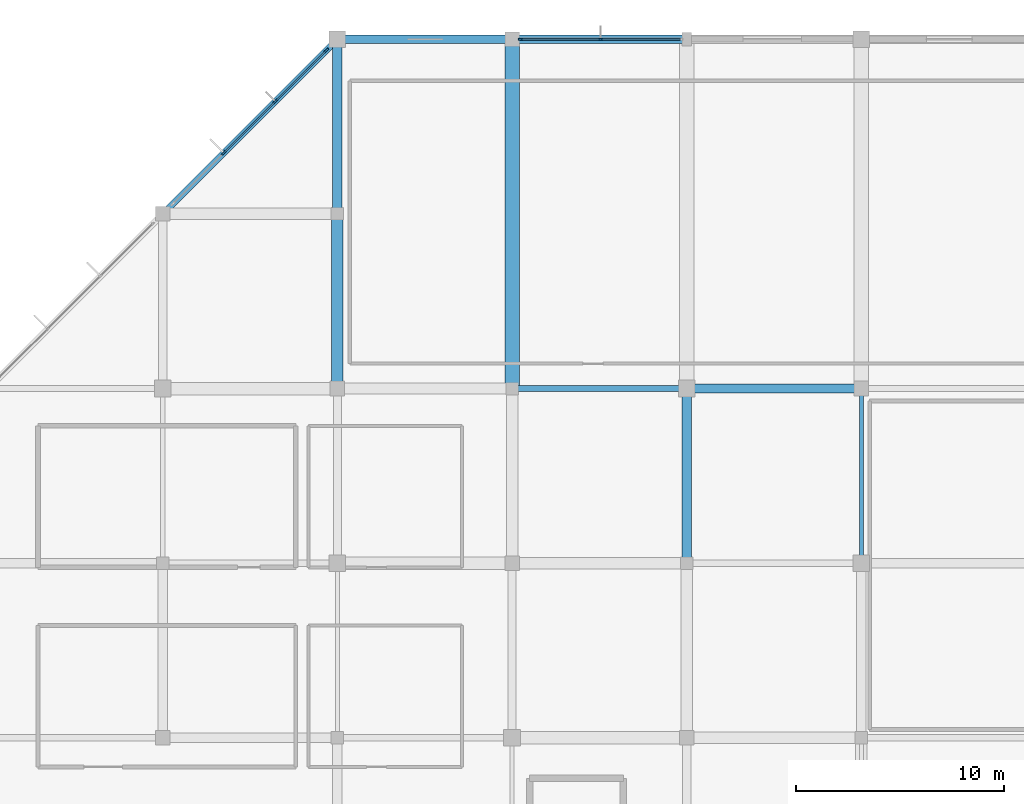
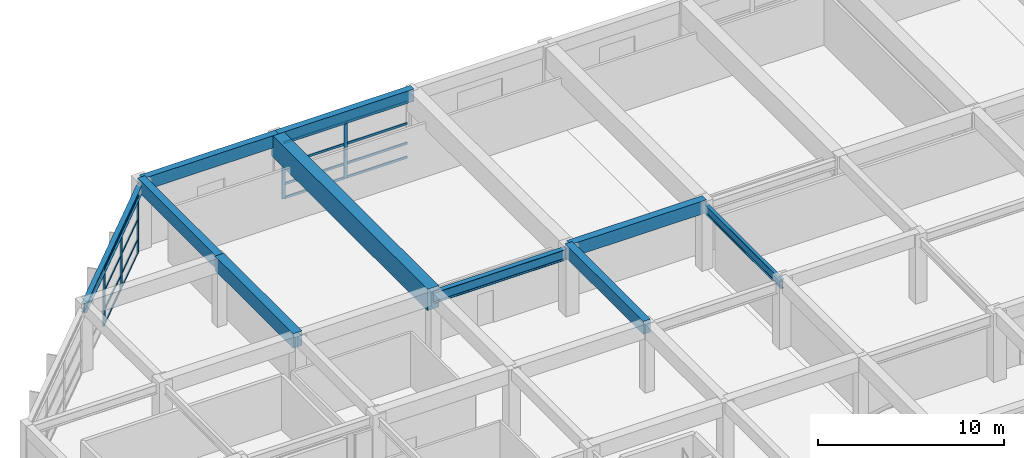
# One storey, part 25 of 65: 21 members, 10 beams, 2 elements without a shape of their own.
"""IFC4 building model written with IfcOpenShell, lengths in metres."""

import ifcopenshell
import ifcopenshell.guid

model = None  # the IFC model being written
_history = None  # IfcOwnerHistory: only IFC2X3 demands one
_inside = {}  # id of a spatial element -> (the spatial element, [elements in it])
_under = {}  # id of a project, library or spatial element -> (it, [spatial elements below it])
_declared = {}  # id of a project -> (the project, [libraries it declares])
_typed = {}  # id of a type object -> (the type object, [elements of that type])
_made_of = {}  # id of a material, layer set ... -> (it, [elements and type objects made of it])


def new_model(schema):
    """Start an empty IFC model of exactly this schema.

    Asked for "IFC4X3", IfcOpenShell would pick the latest addendum, in which some entities
    have other attributes; the version numbers below select the first issue.
    IFC2X3 requires an IfcOwnerHistory on every rooted entity: one is made here for all.
    """
    global model, _history
    if schema == "IFC4X3":
        model = ifcopenshell.file(schema_version=(4, 3, 0, 0))
    else:
        model = ifcopenshell.file(schema=schema)
    _inside.clear()
    _under.clear()
    _declared.clear()
    _typed.clear()
    _made_of.clear()
    _history = None
    if model.schema == "IFC2X3":
        org = make("IfcOrganization", Name="unknown")
        user = make(
            "IfcPersonAndOrganization",
            ThePerson=make("IfcPerson", FamilyName="unknown"),
            TheOrganization=org,
        )
        app = make(
            "IfcApplication",
            ApplicationDeveloper=org,
            Version="unknown",
            ApplicationFullName="unknown",
            ApplicationIdentifier="unknown",
        )
        _history = make(
            "IfcOwnerHistory",
            OwningUser=user,
            OwningApplication=app,
            ChangeAction="ADDED",
            CreationDate=0,
        )
    return model


def make(cls, **values):
    """One entity of the class cls with the attributes given. An attribute that is None is left unset."""
    return model.create_entity(
        cls, **{name: value for name, value in values.items() if value is not None}
    )


def rooted(cls, **values):
    """An entity with a GlobalId (a new one), such as an element, a storey or a relation."""
    return make(cls, GlobalId=ifcopenshell.guid.new(), OwnerHistory=_history, **values)


def si_unit(unit_type, name, prefix=None):
    """IfcSIUnit, for example si_unit("LENGTHUNIT", "METRE", prefix="MILLI")."""
    return make("IfcSIUnit", UnitType=unit_type, Prefix=prefix, Name=name)


def assignment(units):
    """IfcUnitAssignment: the units of a project."""
    return None if units is None else make("IfcUnitAssignment", Units=units)


def point(xyz):
    """IfcCartesianPoint."""
    return None if xyz is None else make("IfcCartesianPoint", Coordinates=xyz)


def direction(xyz):
    """IfcDirection."""
    return None if xyz is None else make("IfcDirection", DirectionRatios=xyz)


def frame(location, z_axis=None, x_axis=None):
    """IfcAxis2Placement3D, a coordinate frame: its origin and axes. An axis left out is left unset."""
    return make(
        "IfcAxis2Placement3D",
        Location=point(location),
        Axis=direction(z_axis),
        RefDirection=direction(x_axis),
    )


def frame_2d(location, x_axis=None):
    """IfcAxis2Placement2D, a coordinate frame in the plane: its origin and x axis."""
    return make(
        "IfcAxis2Placement2D", Location=point(location), RefDirection=direction(x_axis)
    )


def origin():
    """The frame at (0, 0, 0) with its axes left unset."""
    return frame((0.0, 0.0, 0.0))


def origin_2d():
    """The frame at (0, 0) in the plane with its x axis left unset."""
    return frame_2d((0.0, 0.0))


def place(relative_to, where):
    """IfcLocalPlacement: puts the frame where relative to a parent placement (None: the world)."""
    return make(
        "IfcLocalPlacement", PlacementRelTo=relative_to, RelativePlacement=where
    )


def context(
    kind, dimensions, precision=None, world=None, true_north=None, identifier=None
):
    """IfcGeometricRepresentationContext, for example the 3D "Model" context."""
    return make(
        "IfcGeometricRepresentationContext",
        ContextIdentifier=identifier,
        ContextType=kind,
        CoordinateSpaceDimension=dimensions,
        Precision=precision,
        WorldCoordinateSystem=world,
        TrueNorth=true_north,
    )


def subcontext(parent, identifier, kind, view, scale=None):
    """IfcGeometricRepresentationSubContext, for example "Body" below "Model"."""
    return make(
        "IfcGeometricRepresentationSubContext",
        ContextIdentifier=identifier,
        ContextType=kind,
        ParentContext=parent,
        TargetScale=scale,
        TargetView=view,
    )


def project(units=None, contexts=None):
    """IfcProject with its units and contexts."""
    return rooted(
        "IfcProject",
        Name="project",
        RepresentationContexts=contexts,
        UnitsInContext=assignment(units),
    )


def spatial(cls, under=None, at=None, **own):
    """A site, building, storey or space (cls), placed at a placement, below another one or the project."""
    s = rooted(cls, ObjectPlacement=at, **own)
    if under is not None:
        _under.setdefault(under.id(), (under, []))[1].append(s)
    return s


def profile(cls, at=None, kind="AREA", **sizes):
    """A parametric profile (cls). Its sizes go by their IFC names, for example OverallWidth=200.0."""
    return make(cls, ProfileType=kind, Position=at, **sizes)


def rectangle(**sizes):
    """IfcRectangleProfileDef."""
    return profile("IfcRectangleProfileDef", **sizes)


def i_section(**sizes):
    """IfcIShapeProfileDef."""
    return profile("IfcIShapeProfileDef", **sizes)


def extrude(swept, where, along, depth):
    """IfcExtrudedAreaSolid: the profile swept, set in the frame where, extruded along a direction by depth."""
    return make(
        "IfcExtrudedAreaSolid",
        SweptArea=swept,
        Position=where,
        ExtrudedDirection=direction(along),
        Depth=depth,
    )


def shape(context_of_items, identifier, shape_type, items):
    """IfcShapeRepresentation: the items that make up one representation, for example the "Body"."""
    return make(
        "IfcShapeRepresentation",
        ContextOfItems=context_of_items,
        RepresentationIdentifier=identifier,
        RepresentationType=shape_type,
        Items=items,
    )


def material(Name=None, Category=None):
    """IfcMaterial."""
    return make("IfcMaterial", Name=Name, Category=Category)


def material_profile(
    of_material, cross_section, Name=None, Category=None, Priority=None
):
    """IfcMaterialProfile: a cross section and its material."""
    return make(
        "IfcMaterialProfile",
        Name=Name,
        Material=of_material,
        Profile=cross_section,
        Priority=Priority,
        Category=Category,
    )


def profile_set(profiles, Name=None, composite=None):
    """IfcMaterialProfileSet."""
    return make(
        "IfcMaterialProfileSet",
        Name=Name,
        MaterialProfiles=profiles,
        CompositeProfile=composite,
    )


def made_of(thing, what):
    """Note that an element or type object is made of a material, layer set ...; save() writes the relation."""
    if what is not None:
        _made_of.setdefault(what.id(), (what, []))[1].append(thing)
    return thing


def type_object(cls, material=None, **own):
    """A type object (cls), such as IfcWallType, which elements share."""
    return made_of(rooted(cls, **own), material)


def element(
    cls,
    number,
    at=None,
    inside=None,
    cuts=None,
    type_object=None,
    material=None,
    context=None,
    identifier="Body",
    shape_type=None,
    held_by="IfcProductDefinitionShape",
    body=None,
    shapes=None,
    **own,
):
    """One element of the class cls, such as IfcWall. Its Tag is "e" and its number.

    at: its placement. inside: the storey or other place that contains it. cuts: it is an
    opening in that element (IfcRelVoidsElement). A single representation is given by context,
    identifier, shape_type and body (its items); several are given by shapes. held_by: the class
    of the entity that holds the representations. save() writes the other relations.
    """
    e = rooted(cls, Tag="e%d" % number, ObjectPlacement=at, **own)
    if body is not None:
        shapes = [shape(context, identifier, shape_type, body)]
    if shapes is not None:
        e.Representation = make(held_by, Representations=shapes)
    if inside is not None:
        _inside.setdefault(inside.id(), (inside, []))[1].append(e)
    if cuts is not None:
        rooted(
            "IfcRelVoidsElement", RelatingBuildingElement=cuts, RelatedOpeningElement=e
        )
    if type_object is not None:
        _typed.setdefault(type_object.id(), (type_object, []))[1].append(e)
    return made_of(e, material)


def aggregate(whole, parts):
    """IfcRelAggregates: a whole, such as a stair, and the parts it consists of."""
    return rooted("IfcRelAggregates", RelatingObject=whole, RelatedObjects=parts)


def save(model, path):
    """Write the relations noted so far, then the file.

    IfcRelAggregates (storeys below a building ...), IfcRelContainedInSpatialStructure (elements
    in a storey), IfcRelDefinesByType, IfcRelAssociatesMaterial and IfcRelDeclares: one each for
    every whole, place, type object, material and project.
    """
    for whole, parts in _under.values():
        aggregate(whole, parts)
    for where, things in _inside.values():
        rooted(
            "IfcRelContainedInSpatialStructure",
            RelatedElements=things,
            RelatingStructure=where,
        )
    for kind, things in _typed.values():
        rooted("IfcRelDefinesByType", RelatedObjects=things, RelatingType=kind)
    for what, things in _made_of.values():
        rooted("IfcRelAssociatesMaterial", RelatedObjects=things, RelatingMaterial=what)
    for by, libraries in _declared.values():
        rooted("IfcRelDeclares", RelatingContext=by, RelatedDefinitions=libraries)
    model.write(path)


model = new_model("IFC4")

# Units and contexts
model_context = context("Model", 3, precision=1e-05, world=origin(), true_north=direction((0.0, 1.0)))
body_context = subcontext(model_context, "Body", "Model", "MODEL_VIEW")
ifc_project = project(units=[si_unit("LENGTHUNIT", "METRE"), si_unit("AREAUNIT", "SQUARE_METRE"), si_unit("VOLUMEUNIT", "CUBIC_METRE"), si_unit("PLANEANGLEUNIT", "RADIAN"), si_unit("MASSUNIT", "GRAM", prefix="KILO")], contexts=[model_context])

# Site, building, storey
site_placement = place(None, origin())
site = spatial("IfcSite", under=ifc_project, at=site_placement, CompositionType="ELEMENT")
building_placement = place(site_placement, origin())
building = spatial("IfcBuilding", under=site, at=building_placement, Name="Xuanlan Plaza Opera House", CompositionType="ELEMENT")
storey_placement = place(building_placement, frame((0.0, 0.0, 5.39990234375)))
storey = spatial("IfcBuildingStorey", under=building, at=storey_placement, Name="L01", CompositionType="ELEMENT", Elevation=5.39990234375)

# Curtain wall, members
ifc_material_1 = material(Name="Anodised Aluminium 6063-T6 and Low-E Glass", Category="aluminium")
curtain_wall_type_1 = type_object("IfcCurtainWallType", Name="ENV-CW-CW-04", PredefinedType="USERDEFINED", material=ifc_material_1)
curtain_wall_1_placement = place(storey_placement, origin())
curtain_wall_1 = element("IfcCurtainWall", 1, at=curtain_wall_1_placement, inside=storey, type_object=curtain_wall_type_1, Name="Unitised Curtain Wall L01-045", ObjectType="UNITISED CURTAIN WALL", PredefinedType="USERDEFINED")
ifc_material_2 = material(Name="Anodised Aluminium 6063-T6", Category="aluminium")
ifc_material_profile_1 = material_profile(ifc_material_2, rectangle(XDim=0.074951171875, YDim=0.199951171875, at=origin_2d()), Name="ALU-M 75x200")
ifc_profile_set_1 = profile_set([ifc_material_profile_1], Name="Anodised Aluminium 6063-T6")
member_type_1 = type_object("IfcMemberType", Name="ENV-CWM-03", PredefinedType="MULLION", material=ifc_profile_set_1)
member_1_placement = place(storey_placement, frame((29.46240234375, 117.60009765625, 0.0), z_axis=(0.0, 0.0, 1.0), x_axis=(0.0, -1.0, 0.0)))
member_1 = element("IfcMember", 2, at=member_1_placement, type_object=member_type_1, Name="CW-04 mullion 2", PredefinedType="MULLION", context=body_context, shape_type="SweptSolid", body=[
    extrude(rectangle(XDim=0.074951171875, YDim=0.199951171875, at=origin_2d()), origin(), (0.0, 0.0, 1.0), 3.68017578125),
])
member_2_placement = place(storey_placement, frame((25.607421875, 117.60009765625, 0.0), z_axis=(0.0, 0.0, 1.0), x_axis=(0.0, -1.0, 0.0)))
member_2 = element("IfcMember", 3, at=member_2_placement, type_object=member_type_1, Name="CW-04 mullion 3", PredefinedType="MULLION", context=body_context, shape_type="SweptSolid", body=[
    extrude(rectangle(XDim=0.074951171875, YDim=0.199951171875, at=origin_2d()), origin(), (0.0, 0.0, 1.0), 3.68017578125),
])

curtain_wall_type_2 = type_object("IfcCurtainWallType", Name="ENV-CW-CW-02", PredefinedType="USERDEFINED", material=ifc_material_1)
curtain_wall_2_placement = place(storey_placement, origin())
curtain_wall_2 = element("IfcCurtainWall", 4, at=curtain_wall_2_placement, inside=storey, type_object=curtain_wall_type_2, Name="Unitised Curtain Wall L01-047", ObjectType="UNITISED CURTAIN WALL", PredefinedType="USERDEFINED")
ifc_material_profile_2 = material_profile(ifc_material_2, rectangle(XDim=0.090087890625, YDim=0.25, at=origin_2d()), Name="ALU-M 90x250")
ifc_profile_set_2 = profile_set([ifc_material_profile_2], Name="Anodised Aluminium 6063-T6")
member_type_2 = type_object("IfcMemberType", Name="ENV-CWM-05", PredefinedType="MULLION", material=ifc_profile_set_2)
member_3_placement = place(storey_placement, frame((16.269287109375, 117.069091796875, 0.0), z_axis=(0.0, 0.0, 1.0), x_axis=(0.707106781187, -0.707106781187, 0.0)))
member_3 = element("IfcMember", 5, at=member_3_placement, type_object=member_type_2, Name="CW-02 mullion 1", PredefinedType="MULLION", context=body_context, shape_type="SweptSolid", body=[
    extrude(rectangle(XDim=0.090087890625, YDim=0.25, at=origin_2d()), origin(), (0.0, 0.0, 1.0), 3.68017578125),
])
member_4_placement = place(storey_placement, frame((13.81689453125, 114.616943359375, 0.0), z_axis=(0.0, 0.0, 1.0), x_axis=(0.707106781187, -0.707106781187, 0.0)))
member_4 = element("IfcMember", 6, at=member_4_placement, type_object=member_type_2, Name="CW-02 mullion 2", PredefinedType="MULLION", context=body_context, shape_type="SweptSolid", body=[
    extrude(rectangle(XDim=0.090087890625, YDim=0.25, at=origin_2d()), origin(), (0.0, 0.0, 1.0), 3.68017578125),
])
member_5_placement = place(storey_placement, frame((11.3330078125, 112.133056640625, 0.0), z_axis=(0.0, 0.0, 1.0), x_axis=(0.707106781187, -0.707106781187, 0.0)))
member_5 = element("IfcMember", 7, at=member_5_placement, type_object=member_type_2, Name="CW-02 mullion 3", PredefinedType="MULLION", context=body_context, shape_type="SweptSolid", body=[
    extrude(rectangle(XDim=0.090087890625, YDim=0.25, at=origin_2d()), origin(), (0.0, 0.0, 1.0), 3.68017578125),
])
ifc_material_profile_3 = material_profile(ifc_material_2, rectangle(XDim=0.070068359375, YDim=0.135009765625, at=origin_2d()), Name="ALU-T 70x135")
ifc_profile_set_3 = profile_set([ifc_material_profile_3], Name="Anodised Aluminium 6063-T6")
member_type_3 = type_object("IfcMemberType", Name="ENV-CWT-02", PredefinedType="USERDEFINED", material=ifc_profile_set_3)
member_6_placement = place(storey_placement, frame((16.2373046875, 117.037353515625, 0.03515625), z_axis=(-0.707106781187, -0.707106781187, 0.0), x_axis=(0.707106781187, -0.707106781187, 0.0)))
member_6 = element("IfcMember", 8, at=member_6_placement, type_object=member_type_3, Name="CW-02 transom 1.1", ObjectType="TRANSOM", PredefinedType="USERDEFINED", context=body_context, shape_type="SweptSolid", body=[
    extrude(rectangle(XDim=0.070068359375, YDim=0.135009765625, at=origin_2d()), origin(), (0.0, 0.0, 1.0), 3.377685546875),
])
member_7_placement = place(storey_placement, frame((16.2373046875, 117.037353515625, 0.9501953125), z_axis=(-0.707106781187, -0.707106781187, 0.0), x_axis=(0.707106781187, -0.707106781187, 0.0)))
member_7 = element("IfcMember", 9, at=member_7_placement, type_object=member_type_3, Name="CW-02 transom 1.2", ObjectType="TRANSOM", PredefinedType="USERDEFINED", context=body_context, shape_type="SweptSolid", body=[
    extrude(rectangle(XDim=0.070068359375, YDim=0.135009765625, at=origin_2d()), origin(), (0.0, 0.0, 1.0), 3.377685546875),
])
member_8_placement = place(storey_placement, frame((16.2373046875, 117.037353515625, 2.25), z_axis=(-0.707106781187, -0.707106781187, 0.0), x_axis=(0.707106781187, -0.707106781187, 0.0)))
member_8 = element("IfcMember", 10, at=member_8_placement, type_object=member_type_3, Name="CW-02 transom 1.3", ObjectType="TRANSOM", PredefinedType="USERDEFINED", context=body_context, shape_type="SweptSolid", body=[
    extrude(rectangle(XDim=0.070068359375, YDim=0.135009765625, at=origin_2d()), origin(), (0.0, 0.0, 1.0), 3.377685546875),
])
member_9_placement = place(storey_placement, frame((16.2373046875, 117.037353515625, 3.64501953125), z_axis=(-0.707106781187, -0.707106781187, 0.0), x_axis=(0.707106781187, -0.707106781187, 0.0)))
member_9 = element("IfcMember", 11, at=member_9_placement, type_object=member_type_3, Name="CW-02 transom 1.4", ObjectType="TRANSOM", PredefinedType="USERDEFINED", context=body_context, shape_type="SweptSolid", body=[
    extrude(rectangle(XDim=0.070068359375, YDim=0.135009765625, at=origin_2d()), origin(), (0.0, 0.0, 1.0), 3.377685546875),
])
member_10_placement = place(storey_placement, frame((13.78515625, 114.585205078125, 0.03515625), z_axis=(-0.707106781187, -0.707106781187, 0.0), x_axis=(0.707106781187, -0.707106781187, 0.0)))
member_10 = element("IfcMember", 12, at=member_10_placement, type_object=member_type_3, Name="CW-02 transom 2.1", ObjectType="TRANSOM", PredefinedType="USERDEFINED", context=body_context, shape_type="SweptSolid", body=[
    extrude(rectangle(XDim=0.070068359375, YDim=0.135009765625, at=origin_2d()), origin(), (0.0, 0.0, 1.0), 3.423095703125),
])
member_11_placement = place(storey_placement, frame((13.78515625, 114.585205078125, 0.9501953125), z_axis=(-0.707106781187, -0.707106781187, 0.0), x_axis=(0.707106781187, -0.707106781187, 0.0)))
member_11 = element("IfcMember", 13, at=member_11_placement, type_object=member_type_3, Name="CW-02 transom 2.2", ObjectType="TRANSOM", PredefinedType="USERDEFINED", context=body_context, shape_type="SweptSolid", body=[
    extrude(rectangle(XDim=0.070068359375, YDim=0.135009765625, at=origin_2d()), origin(), (0.0, 0.0, 1.0), 3.423095703125),
])
member_12_placement = place(storey_placement, frame((13.78515625, 114.585205078125, 2.25), z_axis=(-0.707106781187, -0.707106781187, 0.0), x_axis=(0.707106781187, -0.707106781187, 0.0)))
member_12 = element("IfcMember", 14, at=member_12_placement, type_object=member_type_3, Name="CW-02 transom 2.3", ObjectType="TRANSOM", PredefinedType="USERDEFINED", context=body_context, shape_type="SweptSolid", body=[
    extrude(rectangle(XDim=0.070068359375, YDim=0.135009765625, at=origin_2d()), origin(), (0.0, 0.0, 1.0), 3.423095703125),
])
member_13_placement = place(storey_placement, frame((13.78515625, 114.585205078125, 3.64501953125), z_axis=(-0.707106781187, -0.707106781187, 0.0), x_axis=(0.707106781187, -0.707106781187, 0.0)))
member_13 = element("IfcMember", 15, at=member_13_placement, type_object=member_type_3, Name="CW-02 transom 2.4", ObjectType="TRANSOM", PredefinedType="USERDEFINED", context=body_context, shape_type="SweptSolid", body=[
    extrude(rectangle(XDim=0.070068359375, YDim=0.135009765625, at=origin_2d()), origin(), (0.0, 0.0, 1.0), 3.423095703125),
])
aggregate(curtain_wall_2, [member_3, member_4, member_5, member_6, member_7, member_8, member_9, member_10, member_11, member_12, member_13])

# Member
ifc_material_profile_4 = material_profile(ifc_material_2, rectangle(XDim=0.074951171875, YDim=0.14990234375, at=origin_2d()), Name="ALU-T 75x150")
ifc_profile_set_4 = profile_set([ifc_material_profile_4], Name="Anodised Aluminium 6063-T6")
member_type_4 = type_object("IfcMemberType", Name="ENV-CWT-03", PredefinedType="USERDEFINED", material=ifc_profile_set_4)
member_14_placement = place(storey_placement, frame((33.280029296875, 117.60009765625, 0.03759765625), z_axis=(-1.0, 0.0, 0.0), x_axis=(0.0, -1.0, 0.0)))
member_14 = element("IfcMember", 16, at=member_14_placement, type_object=member_type_4, Name="CW-04 transom 1.1", ObjectType="TRANSOM", PredefinedType="USERDEFINED", context=body_context, shape_type="SweptSolid", body=[
    extrude(rectangle(XDim=0.074951171875, YDim=0.14990234375, at=origin_2d()), origin(), (0.0, 0.0, 1.0), 3.780029296875),
])

member_15_placement = place(storey_placement, frame((33.280029296875, 117.60009765625, 0.9501953125), z_axis=(-1.0, 0.0, 0.0), x_axis=(0.0, -1.0, 0.0)))
member_15 = element("IfcMember", 17, at=member_15_placement, type_object=member_type_4, Name="CW-04 transom 1.2", ObjectType="TRANSOM", PredefinedType="USERDEFINED", context=body_context, shape_type="SweptSolid", body=[
    extrude(rectangle(XDim=0.074951171875, YDim=0.14990234375, at=origin_2d()), origin(), (0.0, 0.0, 1.0), 3.780029296875),
])

member_16_placement = place(storey_placement, frame((33.280029296875, 117.60009765625, 2.25), z_axis=(-1.0, 0.0, 0.0), x_axis=(0.0, -1.0, 0.0)))
member_16 = element("IfcMember", 18, at=member_16_placement, type_object=member_type_4, Name="CW-04 transom 1.3", ObjectType="TRANSOM", PredefinedType="USERDEFINED", context=body_context, shape_type="SweptSolid", body=[
    extrude(rectangle(XDim=0.074951171875, YDim=0.14990234375, at=origin_2d()), origin(), (0.0, 0.0, 1.0), 3.780029296875),
])

member_17_placement = place(storey_placement, frame((33.280029296875, 117.60009765625, 3.642578125), z_axis=(-1.0, 0.0, 0.0), x_axis=(0.0, -1.0, 0.0)))
member_17 = element("IfcMember", 19, at=member_17_placement, type_object=member_type_4, Name="CW-04 transom 1.4", ObjectType="TRANSOM", PredefinedType="USERDEFINED", context=body_context, shape_type="SweptSolid", body=[
    extrude(rectangle(XDim=0.074951171875, YDim=0.14990234375, at=origin_2d()), origin(), (0.0, 0.0, 1.0), 3.780029296875),
])

member_18_placement = place(storey_placement, frame((29.425048828125, 117.60009765625, 0.03759765625), z_axis=(-1.0, 0.0, 0.0), x_axis=(0.0, -1.0, 0.0)))
member_18 = element("IfcMember", 20, at=member_18_placement, type_object=member_type_4, Name="CW-04 transom 2.1", ObjectType="TRANSOM", PredefinedType="USERDEFINED", context=body_context, shape_type="SweptSolid", body=[
    extrude(rectangle(XDim=0.074951171875, YDim=0.14990234375, at=origin_2d()), origin(), (0.0, 0.0, 1.0), 3.780029296875),
])

member_19_placement = place(storey_placement, frame((29.425048828125, 117.60009765625, 0.9501953125), z_axis=(-1.0, 0.0, 0.0), x_axis=(0.0, -1.0, 0.0)))
member_19 = element("IfcMember", 21, at=member_19_placement, type_object=member_type_4, Name="CW-04 transom 2.2", ObjectType="TRANSOM", PredefinedType="USERDEFINED", context=body_context, shape_type="SweptSolid", body=[
    extrude(rectangle(XDim=0.074951171875, YDim=0.14990234375, at=origin_2d()), origin(), (0.0, 0.0, 1.0), 3.780029296875),
])

member_20_placement = place(storey_placement, frame((29.425048828125, 117.60009765625, 2.25), z_axis=(-1.0, 0.0, 0.0), x_axis=(0.0, -1.0, 0.0)))
member_20 = element("IfcMember", 22, at=member_20_placement, type_object=member_type_4, Name="CW-04 transom 2.3", ObjectType="TRANSOM", PredefinedType="USERDEFINED", context=body_context, shape_type="SweptSolid", body=[
    extrude(rectangle(XDim=0.074951171875, YDim=0.14990234375, at=origin_2d()), origin(), (0.0, 0.0, 1.0), 3.780029296875),
])

member_21_placement = place(storey_placement, frame((29.425048828125, 117.60009765625, 3.642578125), z_axis=(-1.0, 0.0, 0.0), x_axis=(0.0, -1.0, 0.0)))
member_21 = element("IfcMember", 23, at=member_21_placement, type_object=member_type_4, Name="CW-04 transom 2.4", ObjectType="TRANSOM", PredefinedType="USERDEFINED", context=body_context, shape_type="SweptSolid", body=[
    extrude(rectangle(XDim=0.074951171875, YDim=0.14990234375, at=origin_2d()), origin(), (0.0, 0.0, 1.0), 3.780029296875),
])

aggregate(curtain_wall_1, [member_1, member_2, member_14, member_15, member_16, member_17, member_18, member_19, member_20, member_21])

# Beams
ifc_material_3 = material(Name="Concrete C50", Category="concrete")
ifc_material_profile_5 = material_profile(ifc_material_3, rectangle(XDim=0.550048828125, YDim=0.949951171875, at=origin_2d()), Name="RC-BM 550x950")
ifc_profile_set_5 = profile_set([ifc_material_profile_5], Name="Concrete C50")
beam_type_1 = type_object("IfcBeamType", Name="STR-BM-B-02", PredefinedType="BEAM", material=ifc_profile_set_5)
beam_1_placement = place(storey_placement, frame((16.800048828125, 100.800048828125, 4.025146484375), z_axis=(0.0, 1.0, 0.0), x_axis=(-1.0, 0.0, 0.0)))
element("IfcBeam", 24, at=beam_1_placement, inside=storey, type_object=beam_type_1, Name="Grid Beam Y L01 3/M-N", PredefinedType="BEAM", context=body_context, shape_type="SweptSolid", body=[
    extrude(rectangle(XDim=0.550048828125, YDim=0.949951171875, at=origin_2d()), origin(), (0.0, 0.0, 1.0), 8.39990234375),
])
ifc_material_4 = material(Name="Concrete C40", Category="concrete")
ifc_material_profile_6 = material_profile(ifc_material_4, rectangle(XDim=0.449951171875, YDim=0.85009765625, at=origin_2d()), Name="RC-BM 450x850")
ifc_profile_set_6 = profile_set([ifc_material_profile_6], Name="Concrete C40")
beam_type_2 = type_object("IfcBeamType", Name="STR-BM-B-04", PredefinedType="BEAM", material=ifc_profile_set_6)
beam_2_placement = place(storey_placement, frame((33.60009765625, 100.800048828125, 4.0751953125), z_axis=(1.0, 0.0, 0.0), x_axis=(0.0, 1.0, 0.0)))
element("IfcBeam", 25, at=beam_2_placement, inside=storey, type_object=beam_type_2, Name="Grid Beam X L01 5-6/M", PredefinedType="BEAM", context=body_context, shape_type="SweptSolid", body=[
    extrude(rectangle(XDim=0.449951171875, YDim=0.85009765625, at=origin_2d()), origin(), (0.0, 0.0, 1.0), 8.39990234375),
])
for number, where, z_axis, x_axis, name in (
    (26, (16.800048828125, 109.199951171875, 4.0751953125), (0.0, 1.0, 0.0), (-1.0, 0.0, 0.0), "Grid Beam Y L01 3/N-O"),
    (27, (33.60009765625, 92.39990234375, 4.0751953125), (0.0, 1.0, 0.0), (-1.0, 0.0, 0.0), "Grid Beam Y L01 5/L-M"),
):
    element("IfcBeam", number, at=place(storey_placement, frame(where, z_axis=z_axis, x_axis=x_axis)), inside=storey, type_object=beam_type_2, Name=name, PredefinedType="BEAM", context=body_context, shape_type="SweptSolid", body=[
        extrude(rectangle(XDim=0.449951171875, YDim=0.85009765625, at=origin_2d()), origin(), (0.0, 0.0, 1.0), 8.400146484375),
    ])
ifc_material_profile_7 = material_profile(ifc_material_3, rectangle(XDim=0.699951171875, YDim=1.39990234375, at=origin_2d()), Name="RC-LG 700x1400")
ifc_profile_set_7 = profile_set([ifc_material_profile_7], Name="Concrete C50")
beam_type_3 = type_object("IfcBeamType", Name="STR-BM-LG-01", PredefinedType="BEAM", material=ifc_profile_set_7)
beam_3_placement = place(storey_placement, frame((25.199951171875, 100.800048828125, 3.800048828125), z_axis=(0.0, 1.0, 0.0), x_axis=(-1.0, 0.0, 0.0)))
element("IfcBeam", 28, at=beam_3_placement, inside=storey, type_object=beam_type_3, Name="Grid Beam Y L01 4/M-O", PredefinedType="BEAM", context=body_context, shape_type="SweptSolid", body=[
    extrude(rectangle(XDim=0.699951171875, YDim=1.39990234375, at=origin_2d()), origin(), (0.0, 0.0, 1.0), 16.800048828125),
])
ifc_material_5 = material(Name="Steel Q355B", Category="steel")
ifc_material_profile_8 = material_profile(ifc_material_5, i_section(OverallWidth=0.300048828125, OverallDepth=0.699951171875, WebThickness=0.012939453125, FlangeThickness=0.02392578125, FilletRadius=0.02392578125, at=origin_2d()), Name="HN 700x300x13x24")
ifc_profile_set_8 = profile_set([ifc_material_profile_8], Name="Steel Q355B")
beam_type_4 = type_object("IfcBeamType", Name="STR-BM-SB-03", PredefinedType="BEAM", material=ifc_profile_set_8)
beam_4_placement = place(storey_placement, frame((25.199951171875, 100.800048828125, 3.885009765625), z_axis=(1.0, 0.0, 0.0), x_axis=(0.0, 1.0, 0.0)))
element("IfcBeam", 29, at=beam_4_placement, inside=storey, type_object=beam_type_4, Name="Grid Beam X L01 4-5/M", PredefinedType="BEAM", context=body_context, shape_type="SweptSolid", body=[
    extrude(i_section(OverallWidth=0.300048828125, OverallDepth=0.699951171875, WebThickness=0.012939453125, FlangeThickness=0.02392578125, FilletRadius=0.02392578125, at=origin_2d()), origin(), (0.0, 0.0, 1.0), 8.400146484375),
])
ifc_material_profile_9 = material_profile(ifc_material_5, i_section(OverallWidth=0.199951171875, OverallDepth=0.60009765625, WebThickness=0.010986328125, FlangeThickness=0.01708984375, FilletRadius=0.02197265625, at=origin_2d()), Name="HN 600x200x11x17")
ifc_profile_set_9 = profile_set([ifc_material_profile_9], Name="Steel Q355B")
beam_type_5 = type_object("IfcBeamType", Name="STR-BM-SB-04", PredefinedType="BEAM", material=ifc_profile_set_9)
beam_5_placement = place(storey_placement, frame((42.0, 92.39990234375, 3.93505859375), z_axis=(0.0, 1.0, 0.0), x_axis=(-1.0, 0.0, 0.0)))
element("IfcBeam", 30, at=beam_5_placement, inside=storey, type_object=beam_type_5, Name="Grid Beam Y L01 6/L-M", PredefinedType="BEAM", context=body_context, shape_type="SweptSolid", body=[
    extrude(i_section(OverallWidth=0.199951171875, OverallDepth=0.60009765625, WebThickness=0.010986328125, FlangeThickness=0.01708984375, FilletRadius=0.02197265625, at=origin_2d()), origin(), (0.0, 0.0, 1.0), 8.400146484375),
])
ifc_material_profile_10 = material_profile(ifc_material_4, rectangle(XDim=0.39990234375, YDim=0.800048828125, at=origin_2d()), Name="RC-SPD 400x800")
ifc_profile_set_10 = profile_set([ifc_material_profile_10], Name="Concrete C40")
beam_type_6 = type_object("IfcBeamType", Name="STR-BM-SP-01", PredefinedType="SPANDREL", material=ifc_profile_set_10)
beam_6_placement = place(storey_placement, frame((16.800048828125, 117.60009765625, 4.10009765625), z_axis=(1.0, 0.0, 0.0), x_axis=(0.0, 1.0, 0.0)))
element("IfcBeam", 31, at=beam_6_placement, inside=storey, type_object=beam_type_6, Name="Grid Beam X L01 3-4/O", PredefinedType="SPANDREL", context=body_context, shape_type="SweptSolid", body=[
    extrude(rectangle(XDim=0.39990234375, YDim=0.800048828125, at=origin_2d()), origin(), (0.0, 0.0, 1.0), 8.39990234375),
])
beam_7_placement = place(storey_placement, frame((25.199951171875, 117.60009765625, 4.10009765625), z_axis=(1.0, 0.0, 0.0), x_axis=(0.0, 1.0, 0.0)))
element("IfcBeam", 32, at=beam_7_placement, inside=storey, type_object=beam_type_6, Name="Grid Beam X L01 4-5/O", PredefinedType="SPANDREL", context=body_context, shape_type="SweptSolid", body=[
    extrude(rectangle(XDim=0.39990234375, YDim=0.800048828125, at=origin_2d()), origin(), (0.0, 0.0, 1.0), 8.400146484375),
])
ifc_material_profile_11 = material_profile(ifc_material_5, i_section(OverallWidth=0.300048828125, OverallDepth=0.587890625, WebThickness=0.011962890625, FlangeThickness=0.02001953125, FilletRadius=0.02392578125, at=origin_2d()), Name="HM 588x300x12x20")
ifc_profile_set_11 = profile_set([ifc_material_profile_11], Name="Steel Q355B")
beam_type_7 = type_object("IfcBeamType", Name="STR-BM-SP-03", PredefinedType="SPANDREL", material=ifc_profile_set_11)
beam_8_placement = place(storey_placement, frame((8.39990234375, 109.199951171875, 3.941162109375), z_axis=(0.707106781187, 0.707106781187, 0.0), x_axis=(-0.707106781187, 0.707106781187, 0.0)))
element("IfcBeam", 33, at=beam_8_placement, inside=storey, type_object=beam_type_7, Name="Faceted Edge Spandrel L01 CH09B", PredefinedType="SPANDREL", context=body_context, shape_type="SweptSolid", body=[
    extrude(i_section(OverallWidth=0.300048828125, OverallDepth=0.587890625, WebThickness=0.011962890625, FlangeThickness=0.02001953125, FilletRadius=0.02392578125, at=origin_2d()), origin(), (0.0, 0.0, 1.0), 11.879638671875),
])

save(model, "model.ifc")
